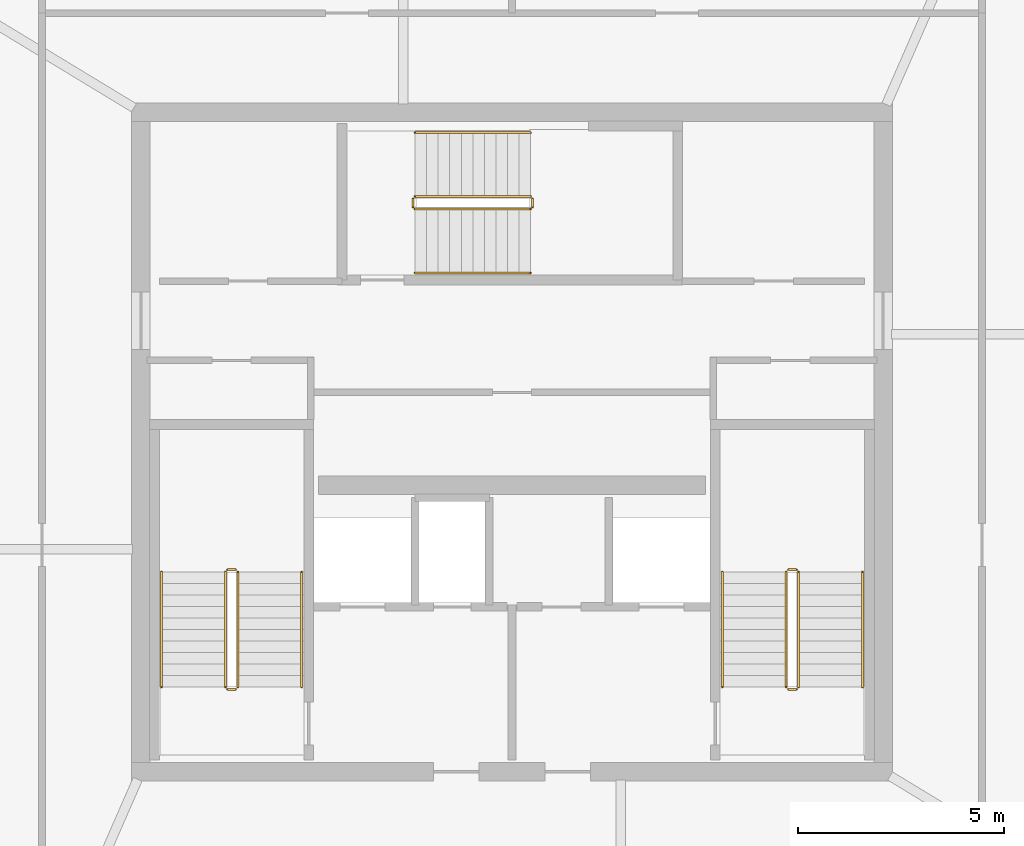
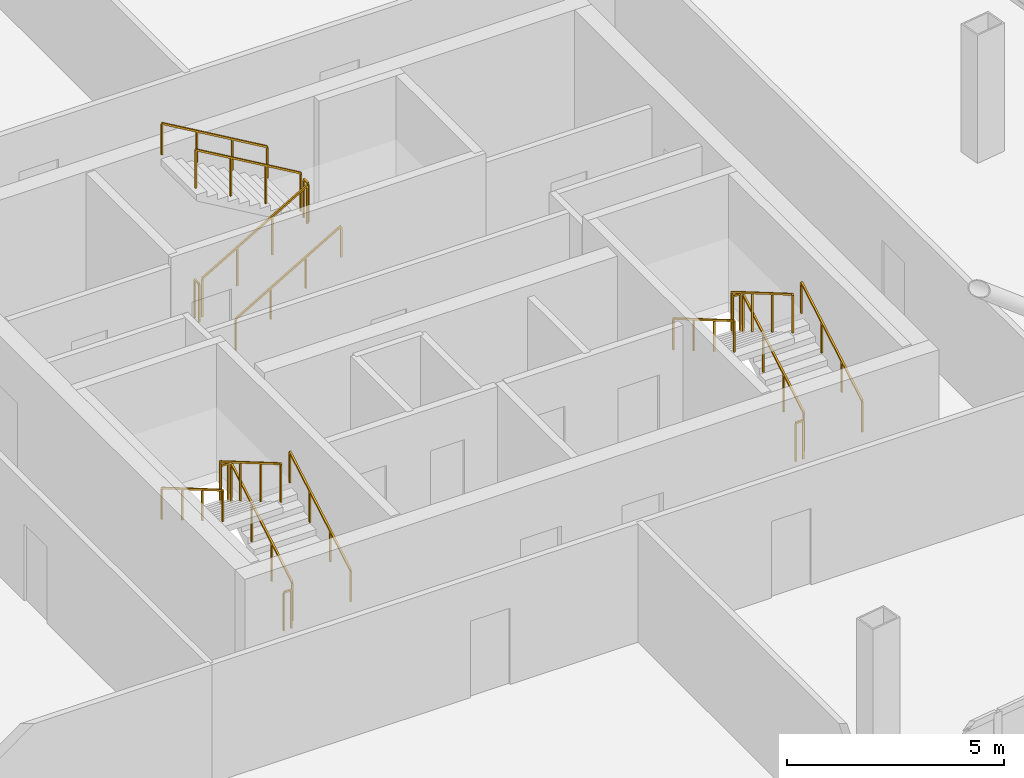
# One storey, part 21 of 21: 18 railings.
"""IFC4 building model written with IfcOpenShell, lengths in metres."""

from ifc_helpers import new_model, si_unit, direction, frame, origin, origin_2d, place, context, subcontext, project, spatial, rectangle, extrude, material, type_object, element, save


model = new_model("IFC4")

# Units and contexts
model_context = context("Model", 3, precision=1e-05, world=origin(), true_north=direction((0.0, 1.0)))
body_context = subcontext(model_context, "Body", "Model", "MODEL_VIEW")
ifc_project = project(units=[si_unit("LENGTHUNIT", "METRE"), si_unit("AREAUNIT", "SQUARE_METRE"), si_unit("VOLUMEUNIT", "CUBIC_METRE"), si_unit("PLANEANGLEUNIT", "RADIAN"), si_unit("MASSUNIT", "GRAM", prefix="KILO")], contexts=[model_context])

# Site, building, storey
site_placement = place(None, origin())
site = spatial("IfcSite", under=ifc_project, at=site_placement, CompositionType="ELEMENT")
building_placement = place(site_placement, origin())
building = spatial("IfcBuilding", under=site, at=building_placement, Name="Haldenkirk Collegiate Tower", CompositionType="ELEMENT")
storey_placement = place(building_placement, frame((0.0, 0.0, 360.60009765625)))
storey = spatial("IfcBuildingStorey", under=building, at=storey_placement, Name="L91", CompositionType="ELEMENT", Elevation=360.60009765625)

# Railings
ifc_material = material(Name="Painted architectural tubular steel", Category="steel")
railing_type_1 = type_object("IfcRailingType", Name="RLG-STAIR-GUARD-1100", PredefinedType="BALUSTRADE", material=ifc_material)
railing_1_placement = place(storey_placement, frame((29.35009765625, 20.050048828125, 0.16357421875)))
element("IfcRailing", 1, at=railing_1_placement, inside=storey, type_object=railing_type_1, Name="L91 ST-1 stair guard 1", PredefinedType="BALUSTRADE", context=body_context, shape_type="SweptSolid", body=[
    extrude(rectangle(XDim=0.048095703125, YDim=0.048095703125, at=origin_2d()), frame((0.0, 0.0, 1.076171875), z_axis=(0.0, 0.863393664356, 0.504530851732), x_axis=(-1.0, 0.0, 0.0)), (0.0, 0.0, 1.0), 3.2431640625),
    extrude(rectangle(XDim=0.0419921875, YDim=0.0419921875, at=origin_2d()), origin(), (0.0, 0.0, 1.0), 1.052001953125),
    extrude(rectangle(XDim=0.0419921875, YDim=0.0419921875, at=origin_2d()), frame((0.0, 0.933349609375, 0.54541015625)), (0.0, 0.0, 1.0), 1.052001953125),
    extrude(rectangle(XDim=0.0419921875, YDim=0.0419921875, at=origin_2d()), frame((0.0, 1.86669921875, 1.0908203125)), (0.0, 0.0, 1.0), 1.052001953125),
    extrude(rectangle(XDim=0.0419921875, YDim=0.0419921875, at=origin_2d()), frame((0.0, 2.800048828125, 1.63623046875)), (0.0, 0.0, 1.0), 1.052001953125),
])
railing_2_placement = place(storey_placement, frame((29.300048828125, 22.89990234375, 1.7998046875)))
element("IfcRailing", 2, at=railing_2_placement, inside=storey, type_object=railing_type_1, Name="L91 ST-1 stair guard 2", PredefinedType="BALUSTRADE", context=body_context, shape_type="SweptSolid", body=[
    extrude(rectangle(XDim=0.048095703125, YDim=0.048095703125, at=origin_2d()), frame((0.0, 0.0, 1.076171875), z_axis=(-1.0, 0.0, 0.0), x_axis=(0.0, -1.0, 0.0)), (0.0, 0.0, 1.0), 0.199951171875),
    extrude(rectangle(XDim=0.0419921875, YDim=0.0419921875, at=origin_2d()), origin(), (0.0, 0.0, 1.0), 1.052001953125),
    extrude(rectangle(XDim=0.0419921875, YDim=0.0419921875, at=origin_2d()), frame((-0.199951171875, 0.0, 0.0)), (0.0, 0.0, 1.0), 1.052001953125),
])
railing_3_placement = place(storey_placement, frame((29.050048828125, 22.85009765625, 1.963623046875)))
element("IfcRailing", 3, at=railing_3_placement, inside=storey, type_object=railing_type_1, Name="L91 ST-1 stair guard 3", PredefinedType="BALUSTRADE", context=body_context, shape_type="SweptSolid", body=[
    extrude(rectangle(XDim=0.048095703125, YDim=0.048095703125, at=origin_2d()), frame((0.0, 0.0, 1.076171875), z_axis=(0.0, -0.863393664356, 0.504530851732), x_axis=(1.0, 0.0, 0.0)), (0.0, 0.0, 1.0), 3.2431640625),
    extrude(rectangle(XDim=0.0419921875, YDim=0.0419921875, at=origin_2d()), origin(), (0.0, 0.0, 1.0), 1.052001953125),
    extrude(rectangle(XDim=0.0419921875, YDim=0.0419921875, at=origin_2d()), frame((0.0, -0.933349609375, 0.54541015625)), (0.0, 0.0, 1.0), 1.052001953125),
    extrude(rectangle(XDim=0.0419921875, YDim=0.0419921875, at=origin_2d()), frame((0.0, -1.86669921875, 1.0908203125)), (0.0, 0.0, 1.0), 1.052001953125),
    extrude(rectangle(XDim=0.0419921875, YDim=0.0419921875, at=origin_2d()), frame((0.0, -2.800048828125, 1.63623046875)), (0.0, 0.0, 1.0), 1.052001953125),
])
railing_4_placement = place(storey_placement, frame((29.300048828125, 20.0, 0.0)))
element("IfcRailing", 4, at=railing_4_placement, inside=storey, type_object=railing_type_1, Name="L91 ST-1 stair guard 4", PredefinedType="BALUSTRADE", context=body_context, shape_type="SweptSolid", body=[
    extrude(rectangle(XDim=0.048095703125, YDim=0.048095703125, at=origin_2d()), frame((0.0, 0.0, 1.076171875), z_axis=(-1.0, 0.0, 0.0), x_axis=(0.0, -1.0, 0.0)), (0.0, 0.0, 1.0), 0.199951171875),
    extrude(rectangle(XDim=0.0419921875, YDim=0.0419921875, at=origin_2d()), origin(), (0.0, 0.0, 1.0), 1.052001953125),
    extrude(rectangle(XDim=0.0419921875, YDim=0.0419921875, at=origin_2d()), frame((-0.199951171875, 0.0, 0.0)), (0.0, 0.0, 1.0), 1.052001953125),
])
railing_5_placement = place(storey_placement, frame((42.949951171875, 20.050048828125, 0.16357421875)))
element("IfcRailing", 5, at=railing_5_placement, inside=storey, type_object=railing_type_1, Name="L91 ST-2 stair guard 1", PredefinedType="BALUSTRADE", context=body_context, shape_type="SweptSolid", body=[
    extrude(rectangle(XDim=0.048095703125, YDim=0.048095703125, at=origin_2d()), frame((0.0, 0.0, 1.076171875), z_axis=(0.0, 0.863393664356, 0.504530851732), x_axis=(-1.0, 0.0, 0.0)), (0.0, 0.0, 1.0), 3.2431640625),
    extrude(rectangle(XDim=0.0419921875, YDim=0.0419921875, at=origin_2d()), origin(), (0.0, 0.0, 1.0), 1.052001953125),
    extrude(rectangle(XDim=0.0419921875, YDim=0.0419921875, at=origin_2d()), frame((0.0, 0.933349609375, 0.54541015625)), (0.0, 0.0, 1.0), 1.052001953125),
    extrude(rectangle(XDim=0.0419921875, YDim=0.0419921875, at=origin_2d()), frame((0.0, 1.86669921875, 1.0908203125)), (0.0, 0.0, 1.0), 1.052001953125),
    extrude(rectangle(XDim=0.0419921875, YDim=0.0419921875, at=origin_2d()), frame((0.0, 2.800048828125, 1.63623046875)), (0.0, 0.0, 1.0), 1.052001953125),
])
railing_6_placement = place(storey_placement, frame((42.89990234375, 22.89990234375, 1.7998046875)))
element("IfcRailing", 6, at=railing_6_placement, inside=storey, type_object=railing_type_1, Name="L91 ST-2 stair guard 2", PredefinedType="BALUSTRADE", context=body_context, shape_type="SweptSolid", body=[
    extrude(rectangle(XDim=0.048095703125, YDim=0.048095703125, at=origin_2d()), frame((0.0, 0.0, 1.076171875), z_axis=(-1.0, 0.0, 0.0), x_axis=(0.0, -1.0, 0.0)), (0.0, 0.0, 1.0), 0.199951171875),
    extrude(rectangle(XDim=0.0419921875, YDim=0.0419921875, at=origin_2d()), origin(), (0.0, 0.0, 1.0), 1.052001953125),
    extrude(rectangle(XDim=0.0419921875, YDim=0.0419921875, at=origin_2d()), frame((-0.199951171875, 0.0, 0.0)), (0.0, 0.0, 1.0), 1.052001953125),
])
railing_7_placement = place(storey_placement, frame((42.64990234375, 22.85009765625, 1.963623046875)))
element("IfcRailing", 7, at=railing_7_placement, inside=storey, type_object=railing_type_1, Name="L91 ST-2 stair guard 3", PredefinedType="BALUSTRADE", context=body_context, shape_type="SweptSolid", body=[
    extrude(rectangle(XDim=0.048095703125, YDim=0.048095703125, at=origin_2d()), frame((0.0, 0.0, 1.076171875), z_axis=(0.0, -0.863393664356, 0.504530851732), x_axis=(1.0, 0.0, 0.0)), (0.0, 0.0, 1.0), 3.2431640625),
    extrude(rectangle(XDim=0.0419921875, YDim=0.0419921875, at=origin_2d()), origin(), (0.0, 0.0, 1.0), 1.052001953125),
    extrude(rectangle(XDim=0.0419921875, YDim=0.0419921875, at=origin_2d()), frame((0.0, -0.933349609375, 0.54541015625)), (0.0, 0.0, 1.0), 1.052001953125),
    extrude(rectangle(XDim=0.0419921875, YDim=0.0419921875, at=origin_2d()), frame((0.0, -1.86669921875, 1.0908203125)), (0.0, 0.0, 1.0), 1.052001953125),
    extrude(rectangle(XDim=0.0419921875, YDim=0.0419921875, at=origin_2d()), frame((0.0, -2.800048828125, 1.63623046875)), (0.0, 0.0, 1.0), 1.052001953125),
])
railing_8_placement = place(storey_placement, frame((42.89990234375, 20.0, 0.0)))
element("IfcRailing", 8, at=railing_8_placement, inside=storey, type_object=railing_type_1, Name="L91 ST-2 stair guard 4", PredefinedType="BALUSTRADE", context=body_context, shape_type="SweptSolid", body=[
    extrude(rectangle(XDim=0.048095703125, YDim=0.048095703125, at=origin_2d()), frame((0.0, 0.0, 1.076171875), z_axis=(-1.0, 0.0, 0.0), x_axis=(0.0, -1.0, 0.0)), (0.0, 0.0, 1.0), 0.199951171875),
    extrude(rectangle(XDim=0.0419921875, YDim=0.0419921875, at=origin_2d()), origin(), (0.0, 0.0, 1.0), 1.052001953125),
    extrude(rectangle(XDim=0.0419921875, YDim=0.0419921875, at=origin_2d()), frame((-0.199951171875, 0.0, 0.0)), (0.0, 0.0, 1.0), 1.052001953125),
])
railing_9_placement = place(storey_placement, frame((33.64990234375, 31.64990234375, 0.16357421875)))
element("IfcRailing", 9, at=railing_9_placement, inside=storey, type_object=railing_type_1, Name="L91 ST-3 stair guard 1", PredefinedType="BALUSTRADE", context=body_context, shape_type="SweptSolid", body=[
    extrude(rectangle(XDim=0.048095703125, YDim=0.048095703125, at=origin_2d()), frame((0.0, 0.0, 1.076171875), z_axis=(0.863393664356, 0.0, 0.504530851732), x_axis=(0.0, 1.0, 0.0)), (0.0, 0.0, 1.0), 3.2431640625),
    extrude(rectangle(XDim=0.0419921875, YDim=0.0419921875, at=origin_2d()), origin(), (0.0, 0.0, 1.0), 1.052001953125),
    extrude(rectangle(XDim=0.0419921875, YDim=0.0419921875, at=origin_2d()), frame((0.933349609375, 0.0, 0.54541015625)), (0.0, 0.0, 1.0), 1.052001953125),
    extrude(rectangle(XDim=0.0419921875, YDim=0.0419921875, at=origin_2d()), frame((1.86669921875, 0.0, 1.0908203125)), (0.0, 0.0, 1.0), 1.052001953125),
    extrude(rectangle(XDim=0.0419921875, YDim=0.0419921875, at=origin_2d()), frame((2.800048828125, 0.0, 1.63623046875)), (0.0, 0.0, 1.0), 1.052001953125),
])
railing_10_placement = place(storey_placement, frame((36.5, 31.699951171875, 1.7998046875)))
element("IfcRailing", 10, at=railing_10_placement, inside=storey, type_object=railing_type_1, Name="L91 ST-3 stair guard 2", PredefinedType="BALUSTRADE", context=body_context, shape_type="SweptSolid", body=[
    extrude(rectangle(XDim=0.048095703125, YDim=0.048095703125, at=origin_2d()), frame((0.0, 0.0, 1.076171875), z_axis=(0.0, 1.0, 0.0), x_axis=(-1.0, 0.0, 0.0)), (0.0, 0.0, 1.0), 0.199951171875),
    extrude(rectangle(XDim=0.0419921875, YDim=0.0419921875, at=origin_2d()), origin(), (0.0, 0.0, 1.0), 1.052001953125),
    extrude(rectangle(XDim=0.0419921875, YDim=0.0419921875, at=origin_2d()), frame((0.0, 0.199951171875, 0.0)), (0.0, 0.0, 1.0), 1.052001953125),
])
railing_11_placement = place(storey_placement, frame((36.449951171875, 31.949951171875, 1.963623046875)))
element("IfcRailing", 11, at=railing_11_placement, inside=storey, type_object=railing_type_1, Name="L91 ST-3 stair guard 3", PredefinedType="BALUSTRADE", context=body_context, shape_type="SweptSolid", body=[
    extrude(rectangle(XDim=0.048095703125, YDim=0.048095703125, at=origin_2d()), frame((0.0, 0.0, 1.076171875), z_axis=(-0.863393664356, 0.0, 0.504530851732), x_axis=(0.0, -1.0, 0.0)), (0.0, 0.0, 1.0), 3.2431640625),
    extrude(rectangle(XDim=0.0419921875, YDim=0.0419921875, at=origin_2d()), origin(), (0.0, 0.0, 1.0), 1.052001953125),
    extrude(rectangle(XDim=0.0419921875, YDim=0.0419921875, at=origin_2d()), frame((-0.933349609375, 0.0, 0.54541015625)), (0.0, 0.0, 1.0), 1.052001953125),
    extrude(rectangle(XDim=0.0419921875, YDim=0.0419921875, at=origin_2d()), frame((-1.86669921875, 0.0, 1.0908203125)), (0.0, 0.0, 1.0), 1.052001953125),
    extrude(rectangle(XDim=0.0419921875, YDim=0.0419921875, at=origin_2d()), frame((-2.800048828125, 0.0, 1.63623046875)), (0.0, 0.0, 1.0), 1.052001953125),
])
railing_12_placement = place(storey_placement, frame((33.60009765625, 31.699951171875, 0.0)))
element("IfcRailing", 12, at=railing_12_placement, inside=storey, type_object=railing_type_1, Name="L91 ST-3 stair guard 4", PredefinedType="BALUSTRADE", context=body_context, shape_type="SweptSolid", body=[
    extrude(rectangle(XDim=0.048095703125, YDim=0.048095703125, at=origin_2d()), frame((0.0, 0.0, 1.076171875), z_axis=(0.0, 1.0, 0.0), x_axis=(-1.0, 0.0, 0.0)), (0.0, 0.0, 1.0), 0.199951171875),
    extrude(rectangle(XDim=0.0419921875, YDim=0.0419921875, at=origin_2d()), origin(), (0.0, 0.0, 1.0), 1.052001953125),
    extrude(rectangle(XDim=0.0419921875, YDim=0.0419921875, at=origin_2d()), frame((0.0, 0.199951171875, 0.0)), (0.0, 0.0, 1.0), 1.052001953125),
])
railing_type_2 = type_object("IfcRailingType", Name="RLG-STAIR-HANDRAIL-900", PredefinedType="HANDRAIL", material=ifc_material)
railing_13_placement = place(storey_placement, frame((30.89990234375, 20.050048828125, 0.16357421875)))
element("IfcRailing", 13, at=railing_13_placement, inside=storey, type_object=railing_type_2, Name="L91 ST-1 stair handrail 1", PredefinedType="HANDRAIL", context=body_context, shape_type="SweptSolid", body=[
    extrude(rectangle(XDim=0.048095703125, YDim=0.048095703125, at=origin_2d()), frame((0.0, 0.0, 0.8759765625), z_axis=(0.0, 0.863393664356, 0.504530851732), x_axis=(-1.0, 0.0, 0.0)), (0.0, 0.0, 1.0), 3.2431640625),
    extrude(rectangle(XDim=0.0419921875, YDim=0.0419921875, at=origin_2d()), origin(), (0.0, 0.0, 1.0), 0.851806640625),
    extrude(rectangle(XDim=0.0419921875, YDim=0.0419921875, at=origin_2d()), frame((0.0, 0.933349609375, 0.54541015625)), (0.0, 0.0, 1.0), 0.851806640625),
    extrude(rectangle(XDim=0.0419921875, YDim=0.0419921875, at=origin_2d()), frame((0.0, 1.86669921875, 1.0908203125)), (0.0, 0.0, 1.0), 0.851806640625),
    extrude(rectangle(XDim=0.0419921875, YDim=0.0419921875, at=origin_2d()), frame((0.0, 2.800048828125, 1.63623046875)), (0.0, 0.0, 1.0), 0.851806640625),
])
railing_14_placement = place(storey_placement, frame((27.5, 22.85009765625, 1.963623046875)))
element("IfcRailing", 14, at=railing_14_placement, inside=storey, type_object=railing_type_2, Name="L91 ST-1 stair handrail 2", PredefinedType="HANDRAIL", context=body_context, shape_type="SweptSolid", body=[
    extrude(rectangle(XDim=0.048095703125, YDim=0.048095703125, at=origin_2d()), frame((0.0, 0.0, 0.8759765625), z_axis=(0.0, -0.863393664356, 0.504530851732), x_axis=(1.0, 0.0, 0.0)), (0.0, 0.0, 1.0), 3.2431640625),
    extrude(rectangle(XDim=0.0419921875, YDim=0.0419921875, at=origin_2d()), origin(), (0.0, 0.0, 1.0), 0.851806640625),
    extrude(rectangle(XDim=0.0419921875, YDim=0.0419921875, at=origin_2d()), frame((0.0, -0.933349609375, 0.54541015625)), (0.0, 0.0, 1.0), 0.851806640625),
    extrude(rectangle(XDim=0.0419921875, YDim=0.0419921875, at=origin_2d()), frame((0.0, -1.86669921875, 1.0908203125)), (0.0, 0.0, 1.0), 0.851806640625),
    extrude(rectangle(XDim=0.0419921875, YDim=0.0419921875, at=origin_2d()), frame((0.0, -2.800048828125, 1.63623046875)), (0.0, 0.0, 1.0), 0.851806640625),
])
railing_15_placement = place(storey_placement, frame((44.5, 20.050048828125, 0.16357421875)))
element("IfcRailing", 15, at=railing_15_placement, inside=storey, type_object=railing_type_2, Name="L91 ST-2 stair handrail 1", PredefinedType="HANDRAIL", context=body_context, shape_type="SweptSolid", body=[
    extrude(rectangle(XDim=0.048095703125, YDim=0.048095703125, at=origin_2d()), frame((0.0, 0.0, 0.8759765625), z_axis=(0.0, 0.863393664356, 0.504530851732), x_axis=(-1.0, 0.0, 0.0)), (0.0, 0.0, 1.0), 3.2431640625),
    extrude(rectangle(XDim=0.0419921875, YDim=0.0419921875, at=origin_2d()), origin(), (0.0, 0.0, 1.0), 0.851806640625),
    extrude(rectangle(XDim=0.0419921875, YDim=0.0419921875, at=origin_2d()), frame((0.0, 0.933349609375, 0.54541015625)), (0.0, 0.0, 1.0), 0.851806640625),
    extrude(rectangle(XDim=0.0419921875, YDim=0.0419921875, at=origin_2d()), frame((0.0, 1.86669921875, 1.0908203125)), (0.0, 0.0, 1.0), 0.851806640625),
    extrude(rectangle(XDim=0.0419921875, YDim=0.0419921875, at=origin_2d()), frame((0.0, 2.800048828125, 1.63623046875)), (0.0, 0.0, 1.0), 0.851806640625),
])
railing_16_placement = place(storey_placement, frame((41.10009765625, 22.85009765625, 1.963623046875)))
element("IfcRailing", 16, at=railing_16_placement, inside=storey, type_object=railing_type_2, Name="L91 ST-2 stair handrail 2", PredefinedType="HANDRAIL", context=body_context, shape_type="SweptSolid", body=[
    extrude(rectangle(XDim=0.048095703125, YDim=0.048095703125, at=origin_2d()), frame((0.0, 0.0, 0.8759765625), z_axis=(0.0, -0.863393664356, 0.504530851732), x_axis=(1.0, 0.0, 0.0)), (0.0, 0.0, 1.0), 3.2431640625),
    extrude(rectangle(XDim=0.0419921875, YDim=0.0419921875, at=origin_2d()), origin(), (0.0, 0.0, 1.0), 0.851806640625),
    extrude(rectangle(XDim=0.0419921875, YDim=0.0419921875, at=origin_2d()), frame((0.0, -0.933349609375, 0.54541015625)), (0.0, 0.0, 1.0), 0.851806640625),
    extrude(rectangle(XDim=0.0419921875, YDim=0.0419921875, at=origin_2d()), frame((0.0, -1.86669921875, 1.0908203125)), (0.0, 0.0, 1.0), 0.851806640625),
    extrude(rectangle(XDim=0.0419921875, YDim=0.0419921875, at=origin_2d()), frame((0.0, -2.800048828125, 1.63623046875)), (0.0, 0.0, 1.0), 0.851806640625),
])
railing_17_placement = place(storey_placement, frame((33.64990234375, 30.10009765625, 0.16357421875)))
element("IfcRailing", 17, at=railing_17_placement, inside=storey, type_object=railing_type_2, Name="L91 ST-3 stair handrail 1", PredefinedType="HANDRAIL", context=body_context, shape_type="SweptSolid", body=[
    extrude(rectangle(XDim=0.048095703125, YDim=0.048095703125, at=origin_2d()), frame((0.0, 0.0, 0.8759765625), z_axis=(0.863393664356, 0.0, 0.504530851732), x_axis=(0.0, 1.0, 0.0)), (0.0, 0.0, 1.0), 3.2431640625),
    extrude(rectangle(XDim=0.0419921875, YDim=0.0419921875, at=origin_2d()), origin(), (0.0, 0.0, 1.0), 0.851806640625),
    extrude(rectangle(XDim=0.0419921875, YDim=0.0419921875, at=origin_2d()), frame((0.933349609375, 0.0, 0.54541015625)), (0.0, 0.0, 1.0), 0.851806640625),
    extrude(rectangle(XDim=0.0419921875, YDim=0.0419921875, at=origin_2d()), frame((1.86669921875, 0.0, 1.0908203125)), (0.0, 0.0, 1.0), 0.851806640625),
    extrude(rectangle(XDim=0.0419921875, YDim=0.0419921875, at=origin_2d()), frame((2.800048828125, 0.0, 1.63623046875)), (0.0, 0.0, 1.0), 0.851806640625),
])
railing_18_placement = place(storey_placement, frame((36.449951171875, 33.5, 1.963623046875)))
element("IfcRailing", 18, at=railing_18_placement, inside=storey, type_object=railing_type_2, Name="L91 ST-3 stair handrail 2", PredefinedType="HANDRAIL", context=body_context, shape_type="SweptSolid", body=[
    extrude(rectangle(XDim=0.048095703125, YDim=0.048095703125, at=origin_2d()), frame((0.0, 0.0, 0.8759765625), z_axis=(-0.863393664356, 0.0, 0.504530851732), x_axis=(0.0, -1.0, 0.0)), (0.0, 0.0, 1.0), 3.2431640625),
    extrude(rectangle(XDim=0.0419921875, YDim=0.0419921875, at=origin_2d()), origin(), (0.0, 0.0, 1.0), 0.851806640625),
    extrude(rectangle(XDim=0.0419921875, YDim=0.0419921875, at=origin_2d()), frame((-0.933349609375, 0.0, 0.54541015625)), (0.0, 0.0, 1.0), 0.851806640625),
    extrude(rectangle(XDim=0.0419921875, YDim=0.0419921875, at=origin_2d()), frame((-1.86669921875, 0.0, 1.0908203125)), (0.0, 0.0, 1.0), 0.851806640625),
    extrude(rectangle(XDim=0.0419921875, YDim=0.0419921875, at=origin_2d()), frame((-2.800048828125, 0.0, 1.63623046875)), (0.0, 0.0, 1.0), 0.851806640625),
])

save(model, "model.ifc")
